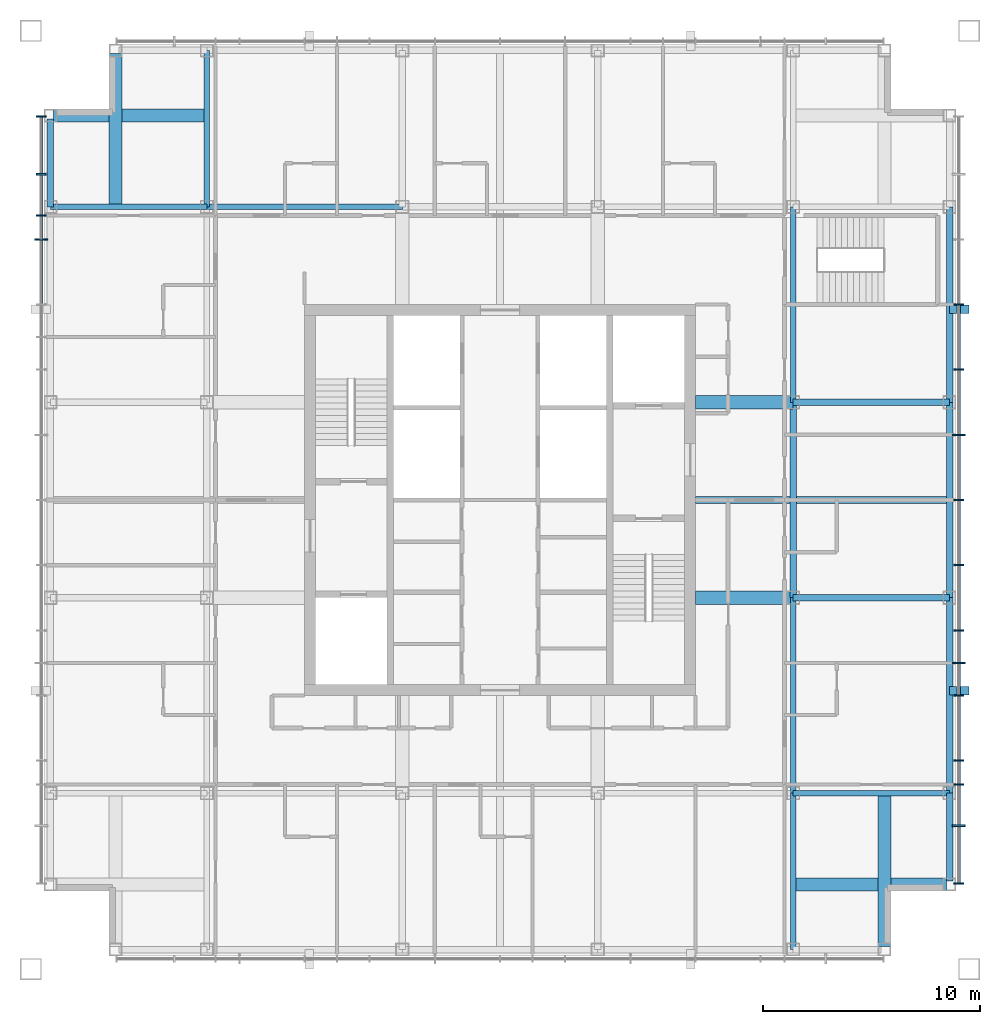
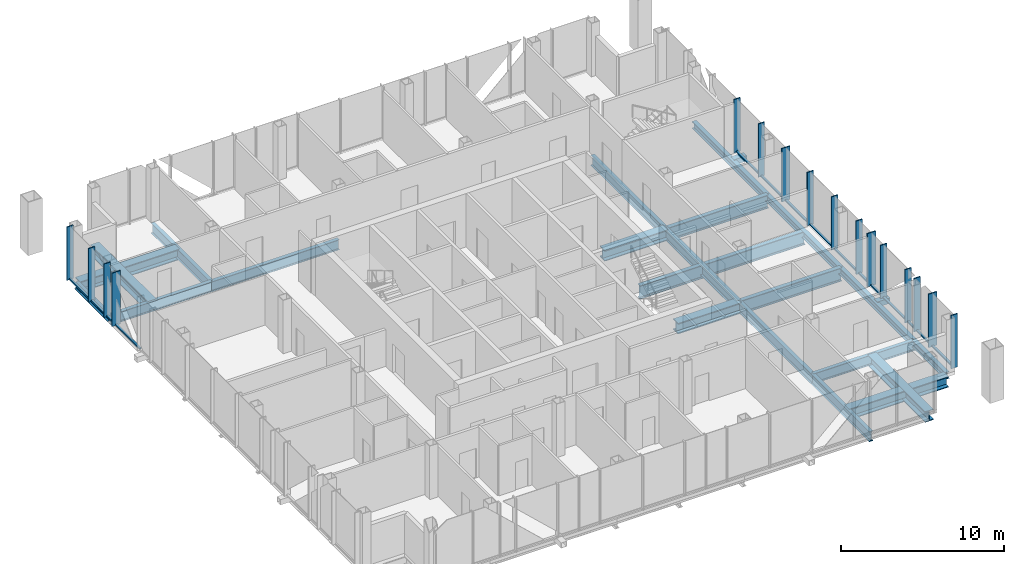
# One storey, part 4 of 11: 33 members, 22 beams, 2 elements without a shape of their own.
"""IFC4 building model written with IfcOpenShell, lengths in metres."""

from ifc_helpers import new_model, si_unit, direction, frame, origin, origin_2d, place, context, subcontext, project, spatial, rectangle, hollow_rectangle, i_section, extrude, material, layer, layer_set, material_profile, profile_set, type_object, element, aggregate, save


model = new_model("IFC4")

# Units and contexts
model_context = context("Model", 3, precision=1e-05, world=origin(), true_north=direction((0.0, 1.0)))
body_context = subcontext(model_context, "Body", "Model", "MODEL_VIEW")
ifc_project = project(units=[si_unit("LENGTHUNIT", "METRE"), si_unit("AREAUNIT", "SQUARE_METRE"), si_unit("VOLUMEUNIT", "CUBIC_METRE"), si_unit("PLANEANGLEUNIT", "RADIAN"), si_unit("MASSUNIT", "GRAM", prefix="KILO")], contexts=[model_context])

# Site, building, storey
site_placement = place(None, origin())
site = spatial("IfcSite", under=ifc_project, at=site_placement, CompositionType="ELEMENT")
building_placement = place(site_placement, origin())
building = spatial("IfcBuilding", under=site, at=building_placement, Name="Malebo Sky Hospital", CompositionType="ELEMENT")
storey_placement = place(building_placement, frame((0.0, 0.0, 278.0)))
storey = spatial("IfcBuildingStorey", under=building, at=storey_placement, Name="L67", CompositionType="ELEMENT", Elevation=278.0)

# Curtain wall, members
ifc_material_1 = material(Name="Anodised aluminium, natural silver", Category="aluminium")
ifc_layer = layer(ifc_material_1, 0.25)
ifc_layer_set = layer_set([ifc_layer], Name="WARD CURTAIN WALL EAST AND WEST")
curtain_wall_type = type_object("IfcCurtainWallType", Name="WARD CURTAIN WALL EAST AND WEST", PredefinedType="NOTDEFINED", material=ifc_layer_set)
curtain_wall_1_placement = place(storey_placement, origin())
curtain_wall_1 = element("IfcCurtainWall", 1, at=curtain_wall_1_placement, inside=storey, type_object=curtain_wall_type, Name="EW curtain wall W", PredefinedType="NOTDEFINED")
ifc_material_profile_1 = material_profile(ifc_material_1, rectangle(XDim=0.14990234375, YDim=0.10009765625, at=origin_2d()), Name="ALUMINIUM TRANSOM 150x100")
ifc_profile_set_1 = profile_set([ifc_material_profile_1], Name="Anodised aluminium, natural silver")
member_type_1 = type_object("IfcMemberType", Name="ALUMINIUM TRANSOM 150x100", PredefinedType="USERDEFINED", material=ifc_profile_set_1)
member_1_placement = place(storey_placement, frame((38.875, 71.03759765625, 0.050048828125), z_axis=(0.0, 1.0, 0.0), x_axis=(-1.0, 0.0, 0.0)))
member_1 = element("IfcMember", 2, at=member_1_placement, type_object=member_type_1, Name="Transom 13", ObjectType="TRANSOM", PredefinedType="USERDEFINED", context=body_context, shape_type="SweptSolid", body=[
    extrude(rectangle(XDim=0.14990234375, YDim=0.10009765625, at=origin_2d()), origin(), (0.0, 0.0, 1.0), 2.9248046875),
])
member_2_placement = place(storey_placement, frame((38.875, 74.03759765625, 0.050048828125), z_axis=(0.0, 1.0, 0.0), x_axis=(-1.0, 0.0, 0.0)))
member_2 = element("IfcMember", 3, at=member_2_placement, type_object=member_type_1, Name="Transom 14", ObjectType="TRANSOM", PredefinedType="USERDEFINED", context=body_context, shape_type="SweptSolid", body=[
    extrude(rectangle(XDim=0.14990234375, YDim=0.10009765625, at=origin_2d()), origin(), (0.0, 0.0, 1.0), 1.02490234375),
])
member_3_placement = place(storey_placement, frame((38.875, 75.137451171875, 0.050048828125), z_axis=(0.0, 1.0, 0.0), x_axis=(-1.0, 0.0, 0.0)))
member_3 = element("IfcMember", 4, at=member_3_placement, type_object=member_type_1, Name="Transom 15", ObjectType="TRANSOM", PredefinedType="USERDEFINED", context=body_context, shape_type="SweptSolid", body=[
    extrude(rectangle(XDim=0.14990234375, YDim=0.10009765625, at=origin_2d()), origin(), (0.0, 0.0, 1.0), 1.824951171875),
])
member_4_placement = place(storey_placement, frame((38.875, 77.03759765625, 0.050048828125), z_axis=(0.0, 1.0, 0.0), x_axis=(-1.0, 0.0, 0.0)))
member_4 = element("IfcMember", 5, at=member_4_placement, type_object=member_type_1, Name="Transom 16", ObjectType="TRANSOM", PredefinedType="USERDEFINED", context=body_context, shape_type="SweptSolid", body=[
    extrude(rectangle(XDim=0.14990234375, YDim=0.10009765625, at=origin_2d()), origin(), (0.0, 0.0, 1.0), 2.58740234375),
])

curtain_wall_2_placement = place(storey_placement, origin())
curtain_wall_2 = element("IfcCurtainWall", 6, at=curtain_wall_2_placement, inside=storey, type_object=curtain_wall_type, Name="EW curtain wall E", PredefinedType="NOTDEFINED")
member_5_placement = place(storey_placement, frame((81.125, 70.96240234375, 0.050048828125), z_axis=(0.0, -1.0, 0.0), x_axis=(1.0, 0.0, 0.0)))
member_5 = element("IfcMember", 7, at=member_5_placement, type_object=member_type_1, Name="Transom 4", ObjectType="TRANSOM", PredefinedType="USERDEFINED", context=body_context, shape_type="SweptSolid", body=[
    extrude(rectangle(XDim=0.14990234375, YDim=0.10009765625, at=origin_2d()), origin(), (0.0, 0.0, 1.0), 2.9248046875),
])
member_6_placement = place(storey_placement, frame((81.125, 67.96240234375, 0.050048828125), z_axis=(0.0, -1.0, 0.0), x_axis=(1.0, 0.0, 0.0)))
member_6 = element("IfcMember", 8, at=member_6_placement, type_object=member_type_1, Name="Transom 5", ObjectType="TRANSOM", PredefinedType="USERDEFINED", context=body_context, shape_type="SweptSolid", body=[
    extrude(rectangle(XDim=0.14990234375, YDim=0.10009765625, at=origin_2d()), origin(), (0.0, 0.0, 1.0), 2.9248046875),
])
member_7_placement = place(storey_placement, frame((81.125, 64.96240234375, 0.050048828125), z_axis=(0.0, -1.0, 0.0), x_axis=(1.0, 0.0, 0.0)))
member_7 = element("IfcMember", 9, at=member_7_placement, type_object=member_type_1, Name="Transom 6", ObjectType="TRANSOM", PredefinedType="USERDEFINED", context=body_context, shape_type="SweptSolid", body=[
    extrude(rectangle(XDim=0.14990234375, YDim=0.10009765625, at=origin_2d()), origin(), (0.0, 0.0, 1.0), 2.9248046875),
])
member_8_placement = place(storey_placement, frame((81.125, 61.96240234375, 0.050048828125), z_axis=(0.0, -1.0, 0.0), x_axis=(1.0, 0.0, 0.0)))
member_8 = element("IfcMember", 10, at=member_8_placement, type_object=member_type_1, Name="Transom 7", ObjectType="TRANSOM", PredefinedType="USERDEFINED", context=body_context, shape_type="SweptSolid", body=[
    extrude(rectangle(XDim=0.14990234375, YDim=0.10009765625, at=origin_2d()), origin(), (0.0, 0.0, 1.0), 2.9248046875),
])
member_9_placement = place(storey_placement, frame((81.125, 58.96240234375, 0.050048828125), z_axis=(0.0, -1.0, 0.0), x_axis=(1.0, 0.0, 0.0)))
member_9 = element("IfcMember", 11, at=member_9_placement, type_object=member_type_1, Name="Transom 8", ObjectType="TRANSOM", PredefinedType="USERDEFINED", context=body_context, shape_type="SweptSolid", body=[
    extrude(rectangle(XDim=0.14990234375, YDim=0.10009765625, at=origin_2d()), origin(), (0.0, 0.0, 1.0), 2.9248046875),
])
member_10_placement = place(storey_placement, frame((81.125, 55.96240234375, 0.050048828125), z_axis=(0.0, -1.0, 0.0), x_axis=(1.0, 0.0, 0.0)))
member_10 = element("IfcMember", 12, at=member_10_placement, type_object=member_type_1, Name="Transom 9", ObjectType="TRANSOM", PredefinedType="USERDEFINED", context=body_context, shape_type="SweptSolid", body=[
    extrude(rectangle(XDim=0.14990234375, YDim=0.10009765625, at=origin_2d()), origin(), (0.0, 0.0, 1.0), 1.4248046875),
])
member_11_placement = place(storey_placement, frame((81.125, 54.46240234375, 0.050048828125), z_axis=(0.0, -1.0, 0.0), x_axis=(1.0, 0.0, 0.0)))
member_11 = element("IfcMember", 13, at=member_11_placement, type_object=member_type_1, Name="Transom 10", ObjectType="TRANSOM", PredefinedType="USERDEFINED", context=body_context, shape_type="SweptSolid", body=[
    extrude(rectangle(XDim=0.14990234375, YDim=0.10009765625, at=origin_2d()), origin(), (0.0, 0.0, 1.0), 1.4248046875),
])
member_12_placement = place(storey_placement, frame((81.125, 52.96240234375, 0.050048828125), z_axis=(0.0, -1.0, 0.0), x_axis=(1.0, 0.0, 0.0)))
member_12 = element("IfcMember", 14, at=member_12_placement, type_object=member_type_1, Name="Transom 11", ObjectType="TRANSOM", PredefinedType="USERDEFINED", context=body_context, shape_type="SweptSolid", body=[
    extrude(rectangle(XDim=0.14990234375, YDim=0.10009765625, at=origin_2d()), origin(), (0.0, 0.0, 1.0), 2.9248046875),
])
member_13_placement = place(storey_placement, frame((81.125, 49.96240234375, 0.050048828125), z_axis=(0.0, -1.0, 0.0), x_axis=(1.0, 0.0, 0.0)))
member_13 = element("IfcMember", 15, at=member_13_placement, type_object=member_type_1, Name="Transom 12", ObjectType="TRANSOM", PredefinedType="USERDEFINED", context=body_context, shape_type="SweptSolid", body=[
    extrude(rectangle(XDim=0.14990234375, YDim=0.10009765625, at=origin_2d()), origin(), (0.0, 0.0, 1.0), 1.02490234375),
])
member_14_placement = place(storey_placement, frame((81.125, 48.862548828125, 0.050048828125), z_axis=(0.0, -1.0, 0.0), x_axis=(1.0, 0.0, 0.0)))
member_14 = element("IfcMember", 16, at=member_14_placement, type_object=member_type_1, Name="Transom 13", ObjectType="TRANSOM", PredefinedType="USERDEFINED", context=body_context, shape_type="SweptSolid", body=[
    extrude(rectangle(XDim=0.14990234375, YDim=0.10009765625, at=origin_2d()), origin(), (0.0, 0.0, 1.0), 1.824951171875),
])
member_15_placement = place(storey_placement, frame((81.125, 46.96240234375, 0.050048828125), z_axis=(0.0, -1.0, 0.0), x_axis=(1.0, 0.0, 0.0)))
member_15 = element("IfcMember", 17, at=member_15_placement, type_object=member_type_1, Name="Transom 14", ObjectType="TRANSOM", PredefinedType="USERDEFINED", context=body_context, shape_type="SweptSolid", body=[
    extrude(rectangle(XDim=0.14990234375, YDim=0.10009765625, at=origin_2d()), origin(), (0.0, 0.0, 1.0), 2.58740234375),
])

# Members
ifc_material_2 = material(Name="Steel S355", Category="steel")
ifc_material_profile_2 = material_profile(ifc_material_2, hollow_rectangle(XDim=0.39990234375, YDim=0.39990234375, WallThickness=0.02001953125, at=origin_2d()), Name="SHS 400x20")
ifc_profile_set_2 = profile_set([ifc_material_profile_2], Name="Steel S355")
member_type_2 = type_object("IfcMemberType", Name="BRACE STRUT SHS 400x20", PredefinedType="STRUT", material=ifc_profile_set_2)
for number, where, z_axis, x_axis, name in (
    (18, (81.60009765625, 70.7841796875, -0.39990234375), (-1.0, 0.0, 0.0), (0.0, -1.0, 0.0), "Brace strut DE1 L67"),
    (19, (81.60009765625, 53.2158203125, -0.39990234375), (-1.0, 0.0, 0.0), (0.0, -1.0, 0.0), "Brace strut DE2 L67"),
):
    element("IfcMember", number, at=place(storey_placement, frame(where, z_axis=z_axis, x_axis=x_axis)), inside=storey, type_object=member_type_2, Name=name, PredefinedType="STRUT", context=body_context, shape_type="SweptSolid", body=[
        extrude(hollow_rectangle(XDim=0.39990234375, YDim=0.39990234375, WallThickness=0.02001953125, at=origin_2d()), origin(), (0.0, 0.0, 1.0), 0.900146484375),
    ])

# Member
ifc_material_profile_3 = material_profile(ifc_material_1, rectangle(XDim=0.074951171875, YDim=0.449951171875, at=origin_2d()), Name="CW2 ALUMINIUM FIN MULLION 75x450")
ifc_profile_set_3 = profile_set([ifc_material_profile_3], Name="Anodised aluminium, natural silver")
member_type_3 = type_object("IfcMemberType", Name="CW2 ALUMINIUM FIN MULLION 75x450", PredefinedType="MULLION", material=ifc_profile_set_3)
member_16_placement = place(storey_placement, frame((38.875, 75.10009765625, 0.0), z_axis=(0.0, 0.0, 1.0), x_axis=(0.0, 1.0, 0.0)))
member_16 = element("IfcMember", 20, at=member_16_placement, type_object=member_type_3, Name="Fin mullion 15", PredefinedType="MULLION", context=body_context, shape_type="SweptSolid", body=[
    extrude(rectangle(XDim=0.074951171875, YDim=0.449951171875, at=origin_2d()), origin(), (0.0, 0.0, 1.0), 4.0),
])

member_17_placement = place(storey_placement, frame((38.875, 77.0, 0.0), z_axis=(0.0, 0.0, 1.0), x_axis=(0.0, 1.0, 0.0)))
member_17 = element("IfcMember", 21, at=member_17_placement, type_object=member_type_3, Name="Fin mullion 16", PredefinedType="MULLION", context=body_context, shape_type="SweptSolid", body=[
    extrude(rectangle(XDim=0.074951171875, YDim=0.449951171875, at=origin_2d()), origin(), (0.0, 0.0, 1.0), 4.0),
])

member_18_placement = place(storey_placement, frame((38.875, 79.66259765625, 0.0), z_axis=(0.0, 0.0, 1.0), x_axis=(0.0, 1.0, 0.0)))
member_18 = element("IfcMember", 22, at=member_18_placement, type_object=member_type_3, Name="Fin mullion 17", PredefinedType="MULLION", context=body_context, shape_type="SweptSolid", body=[
    extrude(rectangle(XDim=0.074951171875, YDim=0.449951171875, at=origin_2d()), origin(), (0.0, 0.0, 1.0), 4.0),
])

member_19_placement = place(storey_placement, frame((81.125, 71.0, 0.0), z_axis=(0.0, 0.0, 1.0), x_axis=(0.0, -1.0, 0.0)))
member_19 = element("IfcMember", 23, at=member_19_placement, type_object=member_type_3, Name="Fin mullion 4", PredefinedType="MULLION", context=body_context, shape_type="SweptSolid", body=[
    extrude(rectangle(XDim=0.074951171875, YDim=0.449951171875, at=origin_2d()), origin(), (0.0, 0.0, 1.0), 4.0),
])

member_20_placement = place(storey_placement, frame((81.125, 68.0, 0.0), z_axis=(0.0, 0.0, 1.0), x_axis=(0.0, -1.0, 0.0)))
member_20 = element("IfcMember", 24, at=member_20_placement, type_object=member_type_3, Name="Fin mullion 5", PredefinedType="MULLION", context=body_context, shape_type="SweptSolid", body=[
    extrude(rectangle(XDim=0.074951171875, YDim=0.449951171875, at=origin_2d()), origin(), (0.0, 0.0, 1.0), 4.0),
])

member_21_placement = place(storey_placement, frame((81.125, 62.0, 0.0), z_axis=(0.0, 0.0, 1.0), x_axis=(0.0, -1.0, 0.0)))
member_21 = element("IfcMember", 25, at=member_21_placement, type_object=member_type_3, Name="Fin mullion 7", PredefinedType="MULLION", context=body_context, shape_type="SweptSolid", body=[
    extrude(rectangle(XDim=0.074951171875, YDim=0.449951171875, at=origin_2d()), origin(), (0.0, 0.0, 1.0), 4.0),
])

member_22_placement = place(storey_placement, frame((81.125, 59.0, 0.0), z_axis=(0.0, 0.0, 1.0), x_axis=(0.0, -1.0, 0.0)))
member_22 = element("IfcMember", 26, at=member_22_placement, type_object=member_type_3, Name="Fin mullion 8", PredefinedType="MULLION", context=body_context, shape_type="SweptSolid", body=[
    extrude(rectangle(XDim=0.074951171875, YDim=0.449951171875, at=origin_2d()), origin(), (0.0, 0.0, 1.0), 4.0),
])

member_23_placement = place(storey_placement, frame((81.125, 56.0, 0.0), z_axis=(0.0, 0.0, 1.0), x_axis=(0.0, -1.0, 0.0)))
member_23 = element("IfcMember", 27, at=member_23_placement, type_object=member_type_3, Name="Fin mullion 9", PredefinedType="MULLION", context=body_context, shape_type="SweptSolid", body=[
    extrude(rectangle(XDim=0.074951171875, YDim=0.449951171875, at=origin_2d()), origin(), (0.0, 0.0, 1.0), 4.0),
])

member_24_placement = place(storey_placement, frame((81.125, 53.0, 0.0), z_axis=(0.0, 0.0, 1.0), x_axis=(0.0, -1.0, 0.0)))
member_24 = element("IfcMember", 28, at=member_24_placement, type_object=member_type_3, Name="Fin mullion 11", PredefinedType="MULLION", context=body_context, shape_type="SweptSolid", body=[
    extrude(rectangle(XDim=0.074951171875, YDim=0.449951171875, at=origin_2d()), origin(), (0.0, 0.0, 1.0), 4.0),
])

member_25_placement = place(storey_placement, frame((81.125, 50.0, 0.0), z_axis=(0.0, 0.0, 1.0), x_axis=(0.0, -1.0, 0.0)))
member_25 = element("IfcMember", 29, at=member_25_placement, type_object=member_type_3, Name="Fin mullion 12", PredefinedType="MULLION", context=body_context, shape_type="SweptSolid", body=[
    extrude(rectangle(XDim=0.074951171875, YDim=0.449951171875, at=origin_2d()), origin(), (0.0, 0.0, 1.0), 4.0),
])

member_26_placement = place(storey_placement, frame((81.125, 48.89990234375, 0.0), z_axis=(0.0, 0.0, 1.0), x_axis=(0.0, -1.0, 0.0)))
member_26 = element("IfcMember", 30, at=member_26_placement, type_object=member_type_3, Name="Fin mullion 13", PredefinedType="MULLION", context=body_context, shape_type="SweptSolid", body=[
    extrude(rectangle(XDim=0.074951171875, YDim=0.449951171875, at=origin_2d()), origin(), (0.0, 0.0, 1.0), 4.0),
])

member_27_placement = place(storey_placement, frame((81.125, 44.33740234375, 0.0), z_axis=(0.0, 0.0, 1.0), x_axis=(0.0, -1.0, 0.0)))
member_27 = element("IfcMember", 31, at=member_27_placement, type_object=member_type_3, Name="Fin mullion 15", PredefinedType="MULLION", context=body_context, shape_type="SweptSolid", body=[
    extrude(rectangle(XDim=0.074951171875, YDim=0.449951171875, at=origin_2d()), origin(), (0.0, 0.0, 1.0), 4.0),
])

ifc_material_profile_4 = material_profile(ifc_material_1, rectangle(XDim=0.074951171875, YDim=0.60009765625, at=origin_2d()), Name="CW2 ALUMINIUM FIN MULLION 75x600")
ifc_profile_set_4 = profile_set([ifc_material_profile_4], Name="Anodised aluminium, natural silver")
member_type_4 = type_object("IfcMemberType", Name="CW2 ALUMINIUM FIN MULLION 75x600", PredefinedType="MULLION", material=ifc_profile_set_4)
member_28_placement = place(storey_placement, frame((38.875, 74.0, 0.0), z_axis=(0.0, 0.0, 1.0), x_axis=(0.0, 1.0, 0.0)))
member_28 = element("IfcMember", 32, at=member_28_placement, type_object=member_type_4, Name="Fin mullion 14", PredefinedType="MULLION", context=body_context, shape_type="SweptSolid", body=[
    extrude(rectangle(XDim=0.074951171875, YDim=0.60009765625, at=origin_2d()), origin(), (0.0, 0.0, 1.0), 4.0),
])

aggregate(curtain_wall_1, [member_28, member_16, member_17, member_18, member_1, member_2, member_3, member_4])

member_29_placement = place(storey_placement, frame((81.125, 65.0, 0.0), z_axis=(0.0, 0.0, 1.0), x_axis=(0.0, -1.0, 0.0)))
member_29 = element("IfcMember", 33, at=member_29_placement, type_object=member_type_4, Name="Fin mullion 6", PredefinedType="MULLION", context=body_context, shape_type="SweptSolid", body=[
    extrude(rectangle(XDim=0.074951171875, YDim=0.60009765625, at=origin_2d()), origin(), (0.0, 0.0, 1.0), 4.0),
])

member_30_placement = place(storey_placement, frame((81.125, 54.5, 0.0), z_axis=(0.0, 0.0, 1.0), x_axis=(0.0, -1.0, 0.0)))
member_30 = element("IfcMember", 34, at=member_30_placement, type_object=member_type_4, Name="Fin mullion 10", PredefinedType="MULLION", context=body_context, shape_type="SweptSolid", body=[
    extrude(rectangle(XDim=0.074951171875, YDim=0.60009765625, at=origin_2d()), origin(), (0.0, 0.0, 1.0), 4.0),
])

member_31_placement = place(storey_placement, frame((81.125, 47.0, 0.0), z_axis=(0.0, 0.0, 1.0), x_axis=(0.0, -1.0, 0.0)))
member_31 = element("IfcMember", 35, at=member_31_placement, type_object=member_type_4, Name="Fin mullion 14", PredefinedType="MULLION", context=body_context, shape_type="SweptSolid", body=[
    extrude(rectangle(XDim=0.074951171875, YDim=0.60009765625, at=origin_2d()), origin(), (0.0, 0.0, 1.0), 4.0),
])

aggregate(curtain_wall_2, [member_19, member_20, member_29, member_21, member_22, member_23, member_30, member_24, member_25, member_26, member_31, member_27, member_5, member_6, member_7, member_8, member_9, member_10, member_11, member_12, member_13, member_14, member_15])

# Beams
ifc_material_profile_5 = material_profile(ifc_material_2, i_section(OverallWidth=0.305908203125, OverallDepth=0.52392578125, WebThickness=0.02099609375, FlangeThickness=0.0400390625, FilletRadius=0.027099609375, at=origin_2d()), Name="HEM 500")
ifc_profile_set_5 = profile_set([ifc_material_profile_5], Name="Steel S355")
beam_type_1 = type_object("IfcBeamType", Name="EDGE BEAM HEM 500", PredefinedType="BEAM", material=ifc_profile_set_5)
for number, where, z_axis, x_axis, name in (
    (36, (39.300048828125, 75.5, -0.511962890625), (0.0, 1.0, 0.0), (-1.0, 0.0, 0.0), "Beam 004 L67"),
    (37, (80.699951171875, 44.449951171875, -0.511962890625), (0.0, 1.0, 0.0), (-1.0, 0.0, 0.0), "Beam 029 L67"),
):
    element("IfcBeam", number, at=place(storey_placement, frame(where, z_axis=z_axis, x_axis=x_axis)), inside=storey, type_object=beam_type_1, Name=name, PredefinedType="BEAM", context=body_context, shape_type="SweptSolid", body=[
        extrude(i_section(OverallWidth=0.305908203125, OverallDepth=0.52392578125, WebThickness=0.02099609375, FlangeThickness=0.0400390625, FilletRadius=0.027099609375, at=origin_2d()), origin(), (0.0, 0.0, 1.0), 4.050048828125),
    ])
for number, where, z_axis, x_axis, name in (
    (38, (80.699951171875, 48.5, -0.511962890625), (0.0, 1.0, 0.0), (-1.0, 0.0, 0.0), "Beam 030 L67"),
    (39, (80.699951171875, 57.5, -0.511962890625), (0.0, 1.0, 0.0), (-1.0, 0.0, 0.0), "Beam 031 L67"),
    (40, (80.699951171875, 66.5, -0.511962890625), (0.0, 1.0, 0.0), (-1.0, 0.0, 0.0), "Beam 032 L67"),
):
    element("IfcBeam", number, at=place(storey_placement, frame(where, z_axis=z_axis, x_axis=x_axis)), inside=storey, type_object=beam_type_1, Name=name, PredefinedType="BEAM", context=body_context, shape_type="SweptSolid", body=[
        extrude(i_section(OverallWidth=0.305908203125, OverallDepth=0.52392578125, WebThickness=0.02099609375, FlangeThickness=0.0400390625, FilletRadius=0.027099609375, at=origin_2d()), origin(), (0.0, 0.0, 1.0), 9.0),
    ])
ifc_material_profile_6 = material_profile(ifc_material_2, i_section(OverallWidth=0.300048828125, OverallDepth=1.0, WebThickness=0.01904296875, FlangeThickness=0.035888671875, FilletRadius=0.030029296875, at=origin_2d()), Name="HEB 1000")
ifc_profile_set_6 = profile_set([ifc_material_profile_6], Name="Steel S355")
beam_type_2 = type_object("IfcBeamType", Name="FLOOR BEAM HEB 1000", PredefinedType="BEAM", material=ifc_profile_set_6)
beam_1_placement = place(storey_placement, frame((73.5, 57.5, -0.75), z_axis=(1.0, 0.0, 0.0), x_axis=(0.0, 1.0, 0.0)))
element("IfcBeam", 41, at=beam_1_placement, inside=storey, type_object=beam_type_2, Name="Beam 049 L67", PredefinedType="BEAM", context=body_context, shape_type="SweptSolid", body=[
    extrude(i_section(OverallWidth=0.300048828125, OverallDepth=1.0, WebThickness=0.01904296875, FlangeThickness=0.035888671875, FilletRadius=0.030029296875, at=origin_2d()), origin(), (0.0, 0.0, 1.0), 7.199951171875),
])
beam_2_placement = place(storey_placement, frame((69.0, 62.0, -0.75), z_axis=(1.0, 0.0, 0.0), x_axis=(0.0, 1.0, 0.0)))
element("IfcBeam", 42, at=beam_2_placement, inside=storey, type_object=beam_type_2, Name="Beam 051 L67", PredefinedType="BEAM", context=body_context, shape_type="SweptSolid", body=[
    extrude(i_section(OverallWidth=0.300048828125, OverallDepth=1.0, WebThickness=0.01904296875, FlangeThickness=0.035888671875, FilletRadius=0.030029296875, at=origin_2d()), origin(), (0.0, 0.0, 1.0), 11.699951171875),
])
beam_3_placement = place(storey_placement, frame((73.5, 66.5, -0.75), z_axis=(1.0, 0.0, 0.0), x_axis=(0.0, 1.0, 0.0)))
element("IfcBeam", 43, at=beam_3_placement, inside=storey, type_object=beam_type_2, Name="Beam 055 L67", PredefinedType="BEAM", context=body_context, shape_type="SweptSolid", body=[
    extrude(i_section(OverallWidth=0.300048828125, OverallDepth=1.0, WebThickness=0.01904296875, FlangeThickness=0.035888671875, FilletRadius=0.030029296875, at=origin_2d()), origin(), (0.0, 0.0, 1.0), 7.199951171875),
])
ifc_material_profile_7 = material_profile(ifc_material_2, i_section(OverallWidth=0.26708984375, OverallDepth=0.761962890625, WebThickness=0.014404296875, FlangeThickness=0.021484375, FilletRadius=0.01708984375, at=origin_2d()), Name="IPE 750x173")
ifc_profile_set_7 = profile_set([ifc_material_profile_7], Name="Steel S355")
beam_type_3 = type_object("IfcBeamType", Name="FLOOR BEAM IPE 750x173", PredefinedType="BEAM", material=ifc_profile_set_7)
for number, where, z_axis, x_axis, name in (
    (44, (73.5, 48.5, -0.631103515625), (0.0, 1.0, 0.0), (-1.0, 0.0, 0.0), "Beam 023 L67"),
    (45, (73.5, 66.5, -0.631103515625), (0.0, 1.0, 0.0), (-1.0, 0.0, 0.0), "Beam 025 L67"),
    (46, (46.5, 75.5, -0.631103515625), (1.0, 0.0, 0.0), (0.0, 1.0, 0.0), "Beam 057 L67"),
):
    element("IfcBeam", number, at=place(storey_placement, frame(where, z_axis=z_axis, x_axis=x_axis)), inside=storey, type_object=beam_type_3, Name=name, PredefinedType="BEAM", context=body_context, shape_type="SweptSolid", body=[
        extrude(i_section(OverallWidth=0.26708984375, OverallDepth=0.761962890625, WebThickness=0.014404296875, FlangeThickness=0.021484375, FilletRadius=0.01708984375, at=origin_2d()), origin(), (0.0, 0.0, 1.0), 9.0),
    ])
ifc_material_profile_8 = material_profile(ifc_material_2, i_section(OverallWidth=0.60009765625, OverallDepth=0.800048828125, WebThickness=0.0400390625, FlangeThickness=0.06005859375, at=origin_2d()), Name="PG 800x600x40x60")
ifc_profile_set_8 = profile_set([ifc_material_profile_8], Name="Steel S355")
beam_type_4 = type_object("IfcBeamType", Name="FLOOR BEAM PG 800x600x40x60", PredefinedType="BEAM", material=ifc_profile_set_8)
for number, where, z_axis, x_axis, name in (
    (47, (42.300048828125, 75.5, -0.64990234375), (0.0, 1.0, 0.0), (-1.0, 0.0, 0.0), "Beam 006 L67"),
    (48, (77.699951171875, 41.449951171875, -0.64990234375), (0.0, 1.0, 0.0), (-1.0, 0.0, 0.0), "Beam 027 L67"),
    (49, (73.5, 44.300048828125, -0.64990234375), (1.0, 0.0, 0.0), (0.0, 1.0, 0.0), "Beam 040 L67"),
):
    element("IfcBeam", number, at=place(storey_placement, frame(where, z_axis=z_axis, x_axis=x_axis)), inside=storey, type_object=beam_type_4, Name=name, PredefinedType="BEAM", context=body_context, shape_type="SweptSolid", body=[
        extrude(i_section(OverallWidth=0.60009765625, OverallDepth=0.800048828125, WebThickness=0.0400390625, FlangeThickness=0.06005859375, at=origin_2d()), origin(), (0.0, 0.0, 1.0), 7.050048828125),
    ])
for number, where, z_axis, x_axis, name in (
    (50, (69.0, 57.5, -0.64990234375), (1.0, 0.0, 0.0), (0.0, 1.0, 0.0), "Beam 048 L67"),
    (51, (69.0, 66.5, -0.64990234375), (1.0, 0.0, 0.0), (0.0, 1.0, 0.0), "Beam 054 L67"),
):
    element("IfcBeam", number, at=place(storey_placement, frame(where, z_axis=z_axis, x_axis=x_axis)), inside=storey, type_object=beam_type_4, Name=name, PredefinedType="BEAM", context=body_context, shape_type="SweptSolid", body=[
        extrude(i_section(OverallWidth=0.60009765625, OverallDepth=0.800048828125, WebThickness=0.0400390625, FlangeThickness=0.06005859375, at=origin_2d()), origin(), (0.0, 0.0, 1.0), 4.5),
    ])
beam_4_placement = place(storey_placement, frame((39.449951171875, 79.699951171875, -0.64990234375), z_axis=(1.0, 0.0, 0.0), x_axis=(0.0, 1.0, 0.0)))
element("IfcBeam", 52, at=beam_4_placement, inside=storey, type_object=beam_type_4, Name="Beam 061 L67", PredefinedType="BEAM", context=body_context, shape_type="SweptSolid", body=[
    extrude(i_section(OverallWidth=0.60009765625, OverallDepth=0.800048828125, WebThickness=0.0400390625, FlangeThickness=0.06005859375, at=origin_2d()), origin(), (0.0, 0.0, 1.0), 7.050048828125),
])
ifc_material_profile_9 = material_profile(ifc_material_2, i_section(OverallWidth=0.262939453125, OverallDepth=0.7529296875, WebThickness=0.011474609375, FlangeThickness=0.01708984375, FilletRadius=0.01708984375, at=origin_2d()), Name="IPE 750x137")
ifc_profile_set_9 = profile_set([ifc_material_profile_9], Name="Steel S355")
beam_type_5 = type_object("IfcBeamType", Name="FLOOR GIRDER IPE 750x137", PredefinedType="BEAM", material=ifc_profile_set_9)
for number, where, z_axis, x_axis, name in (
    (53, (46.5, 75.5, -0.62646484375), (0.0, 1.0, 0.0), (-1.0, 0.0, 0.0), "Beam 011 L67"),
    (54, (73.5, 41.300048828125, -0.62646484375), (0.0, 1.0, 0.0), (-1.0, 0.0, 0.0), "Beam 022 L67"),
    (55, (73.5, 48.5, -0.62646484375), (1.0, 0.0, 0.0), (0.0, 1.0, 0.0), "Beam 045 L67"),
    (56, (39.300048828125, 75.5, -0.62646484375), (1.0, 0.0, 0.0), (0.0, 1.0, 0.0), "Beam 056 L67"),
):
    element("IfcBeam", number, at=place(storey_placement, frame(where, z_axis=z_axis, x_axis=x_axis)), inside=storey, type_object=beam_type_5, Name=name, PredefinedType="BEAM", context=body_context, shape_type="SweptSolid", body=[
        extrude(i_section(OverallWidth=0.262939453125, OverallDepth=0.7529296875, WebThickness=0.011474609375, FlangeThickness=0.01708984375, FilletRadius=0.01708984375, at=origin_2d()), origin(), (0.0, 0.0, 1.0), 7.199951171875),
    ])
ifc_material_profile_10 = material_profile(ifc_material_2, i_section(OverallWidth=0.300048828125, OverallDepth=0.800048828125, WebThickness=0.017578125, FlangeThickness=0.032958984375, FilletRadius=0.030029296875, at=origin_2d()), Name="HEB 800")
ifc_profile_set_10 = profile_set([ifc_material_profile_10], Name="Steel S355")
beam_type_6 = type_object("IfcBeamType", Name="RING GIRDER HEB 800", PredefinedType="BEAM", material=ifc_profile_set_10)
beam_5_placement = place(storey_placement, frame((73.5, 57.5, -0.64990234375), z_axis=(0.0, 1.0, 0.0), x_axis=(-1.0, 0.0, 0.0)))
element("IfcBeam", 57, at=beam_5_placement, inside=storey, type_object=beam_type_6, Name="Beam 024 L67", PredefinedType="BEAM", context=body_context, shape_type="SweptSolid", body=[
    extrude(i_section(OverallWidth=0.300048828125, OverallDepth=0.800048828125, WebThickness=0.017578125, FlangeThickness=0.032958984375, FilletRadius=0.030029296875, at=origin_2d()), origin(), (0.0, 0.0, 1.0), 9.0),
])

save(model, "model.ifc")
